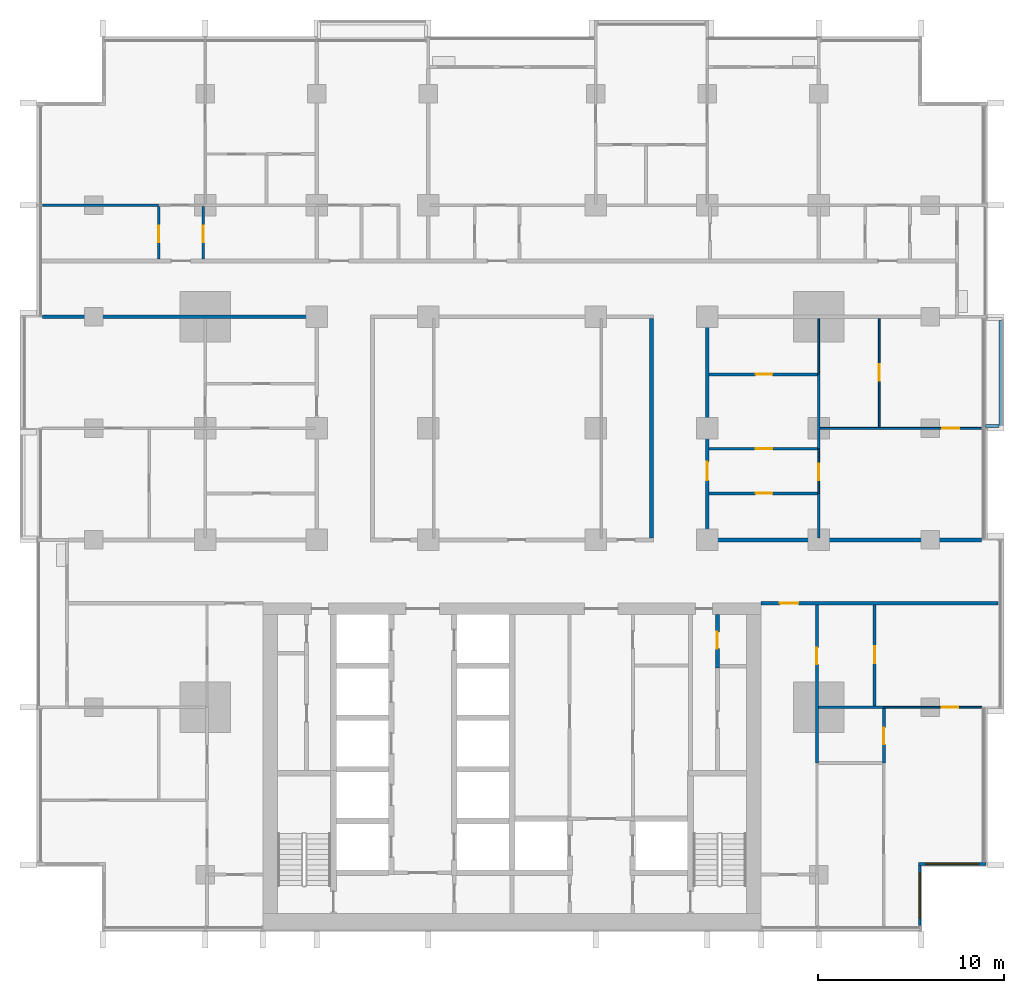
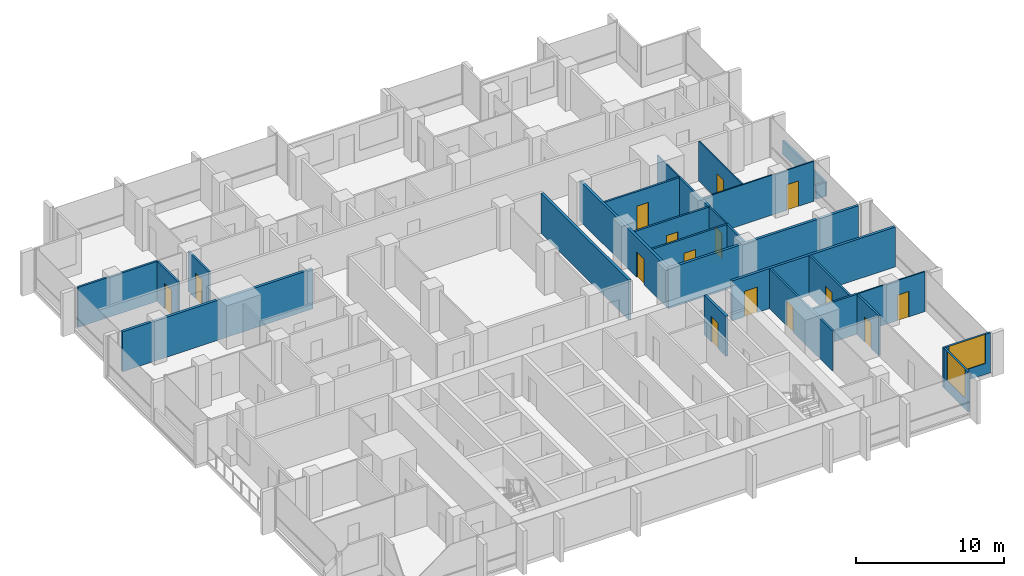
# One storey, part 10 of 19: 27 walls, 15 doors, 2 windows, 17 openings.
"""IFC4 building model written with IfcOpenShell, lengths in metres."""

import ifcopenshell
import ifcopenshell.guid

model = None  # the IFC model being written
_history = None  # IfcOwnerHistory: only IFC2X3 demands one
_inside = {}  # id of a spatial element -> (the spatial element, [elements in it])
_under = {}  # id of a project, library or spatial element -> (it, [spatial elements below it])
_declared = {}  # id of a project -> (the project, [libraries it declares])
_typed = {}  # id of a type object -> (the type object, [elements of that type])
_made_of = {}  # id of a material, layer set ... -> (it, [elements and type objects made of it])


def new_model(schema):
    """Start an empty IFC model of exactly this schema.

    Asked for "IFC4X3", IfcOpenShell would pick the latest addendum, in which some entities
    have other attributes; the version numbers below select the first issue.
    IFC2X3 requires an IfcOwnerHistory on every rooted entity: one is made here for all.
    """
    global model, _history
    if schema == "IFC4X3":
        model = ifcopenshell.file(schema_version=(4, 3, 0, 0))
    else:
        model = ifcopenshell.file(schema=schema)
    _inside.clear()
    _under.clear()
    _declared.clear()
    _typed.clear()
    _made_of.clear()
    _history = None
    if model.schema == "IFC2X3":
        org = make("IfcOrganization", Name="unknown")
        user = make(
            "IfcPersonAndOrganization",
            ThePerson=make("IfcPerson", FamilyName="unknown"),
            TheOrganization=org,
        )
        app = make(
            "IfcApplication",
            ApplicationDeveloper=org,
            Version="unknown",
            ApplicationFullName="unknown",
            ApplicationIdentifier="unknown",
        )
        _history = make(
            "IfcOwnerHistory",
            OwningUser=user,
            OwningApplication=app,
            ChangeAction="ADDED",
            CreationDate=0,
        )
    return model


def make(cls, **values):
    """One entity of the class cls with the attributes given. An attribute that is None is left unset."""
    return model.create_entity(
        cls, **{name: value for name, value in values.items() if value is not None}
    )


def rooted(cls, **values):
    """An entity with a GlobalId (a new one), such as an element, a storey or a relation."""
    return make(cls, GlobalId=ifcopenshell.guid.new(), OwnerHistory=_history, **values)


def si_unit(unit_type, name, prefix=None):
    """IfcSIUnit, for example si_unit("LENGTHUNIT", "METRE", prefix="MILLI")."""
    return make("IfcSIUnit", UnitType=unit_type, Prefix=prefix, Name=name)


def assignment(units):
    """IfcUnitAssignment: the units of a project."""
    return None if units is None else make("IfcUnitAssignment", Units=units)


def point(xyz):
    """IfcCartesianPoint."""
    return None if xyz is None else make("IfcCartesianPoint", Coordinates=xyz)


def direction(xyz):
    """IfcDirection."""
    return None if xyz is None else make("IfcDirection", DirectionRatios=xyz)


def frame(location, z_axis=None, x_axis=None):
    """IfcAxis2Placement3D, a coordinate frame: its origin and axes. An axis left out is left unset."""
    return make(
        "IfcAxis2Placement3D",
        Location=point(location),
        Axis=direction(z_axis),
        RefDirection=direction(x_axis),
    )


def frame_2d(location, x_axis=None):
    """IfcAxis2Placement2D, a coordinate frame in the plane: its origin and x axis."""
    return make(
        "IfcAxis2Placement2D", Location=point(location), RefDirection=direction(x_axis)
    )


def origin():
    """The frame at (0, 0, 0) with its axes left unset."""
    return frame((0.0, 0.0, 0.0))


def place(relative_to, where):
    """IfcLocalPlacement: puts the frame where relative to a parent placement (None: the world)."""
    return make(
        "IfcLocalPlacement", PlacementRelTo=relative_to, RelativePlacement=where
    )


def context(
    kind, dimensions, precision=None, world=None, true_north=None, identifier=None
):
    """IfcGeometricRepresentationContext, for example the 3D "Model" context."""
    return make(
        "IfcGeometricRepresentationContext",
        ContextIdentifier=identifier,
        ContextType=kind,
        CoordinateSpaceDimension=dimensions,
        Precision=precision,
        WorldCoordinateSystem=world,
        TrueNorth=true_north,
    )


def subcontext(parent, identifier, kind, view, scale=None):
    """IfcGeometricRepresentationSubContext, for example "Body" below "Model"."""
    return make(
        "IfcGeometricRepresentationSubContext",
        ContextIdentifier=identifier,
        ContextType=kind,
        ParentContext=parent,
        TargetScale=scale,
        TargetView=view,
    )


def project(units=None, contexts=None):
    """IfcProject with its units and contexts."""
    return rooted(
        "IfcProject",
        Name="project",
        RepresentationContexts=contexts,
        UnitsInContext=assignment(units),
    )


def spatial(cls, under=None, at=None, **own):
    """A site, building, storey or space (cls), placed at a placement, below another one or the project."""
    s = rooted(cls, ObjectPlacement=at, **own)
    if under is not None:
        _under.setdefault(under.id(), (under, []))[1].append(s)
    return s


def profile(cls, at=None, kind="AREA", **sizes):
    """A parametric profile (cls). Its sizes go by their IFC names, for example OverallWidth=200.0."""
    return make(cls, ProfileType=kind, Position=at, **sizes)


def rectangle(**sizes):
    """IfcRectangleProfileDef."""
    return profile("IfcRectangleProfileDef", **sizes)


def extrude(swept, where, along, depth):
    """IfcExtrudedAreaSolid: the profile swept, set in the frame where, extruded along a direction by depth."""
    return make(
        "IfcExtrudedAreaSolid",
        SweptArea=swept,
        Position=where,
        ExtrudedDirection=direction(along),
        Depth=depth,
    )


def shape(context_of_items, identifier, shape_type, items):
    """IfcShapeRepresentation: the items that make up one representation, for example the "Body"."""
    return make(
        "IfcShapeRepresentation",
        ContextOfItems=context_of_items,
        RepresentationIdentifier=identifier,
        RepresentationType=shape_type,
        Items=items,
    )


def material(Name=None, Category=None):
    """IfcMaterial."""
    return make("IfcMaterial", Name=Name, Category=Category)


def layer(
    of_material, thickness, ventilated=None, Name=None, Category=None, Priority=None
):
    """IfcMaterialLayer: one layer of a wall or slab, of a material (None: an air gap)."""
    return make(
        "IfcMaterialLayer",
        Material=of_material,
        LayerThickness=thickness,
        IsVentilated=ventilated,
        Name=Name,
        Category=Category,
        Priority=Priority,
    )


def layer_set(layers, Name=None):
    """IfcMaterialLayerSet."""
    return make("IfcMaterialLayerSet", MaterialLayers=layers, LayerSetName=Name)


def made_of(thing, what):
    """Note that an element or type object is made of a material, layer set ...; save() writes the relation."""
    if what is not None:
        _made_of.setdefault(what.id(), (what, []))[1].append(thing)
    return thing


def type_object(cls, material=None, **own):
    """A type object (cls), such as IfcWallType, which elements share."""
    return made_of(rooted(cls, **own), material)


def element(
    cls,
    number,
    at=None,
    inside=None,
    cuts=None,
    type_object=None,
    material=None,
    context=None,
    identifier="Body",
    shape_type=None,
    held_by="IfcProductDefinitionShape",
    body=None,
    shapes=None,
    **own,
):
    """One element of the class cls, such as IfcWall. Its Tag is "e" and its number.

    at: its placement. inside: the storey or other place that contains it. cuts: it is an
    opening in that element (IfcRelVoidsElement). A single representation is given by context,
    identifier, shape_type and body (its items); several are given by shapes. held_by: the class
    of the entity that holds the representations. save() writes the other relations.
    """
    e = rooted(cls, Tag="e%d" % number, ObjectPlacement=at, **own)
    if body is not None:
        shapes = [shape(context, identifier, shape_type, body)]
    if shapes is not None:
        e.Representation = make(held_by, Representations=shapes)
    if inside is not None:
        _inside.setdefault(inside.id(), (inside, []))[1].append(e)
    if cuts is not None:
        rooted(
            "IfcRelVoidsElement", RelatingBuildingElement=cuts, RelatedOpeningElement=e
        )
    if type_object is not None:
        _typed.setdefault(type_object.id(), (type_object, []))[1].append(e)
    return made_of(e, material)


def fill(opening, filler):
    """IfcRelFillsElement: the door or window that sits in an opening."""
    return rooted(
        "IfcRelFillsElement",
        RelatingOpeningElement=opening,
        RelatedBuildingElement=filler,
    )


def aggregate(whole, parts):
    """IfcRelAggregates: a whole, such as a stair, and the parts it consists of."""
    return rooted("IfcRelAggregates", RelatingObject=whole, RelatedObjects=parts)


def save(model, path):
    """Write the relations noted so far, then the file.

    IfcRelAggregates (storeys below a building ...), IfcRelContainedInSpatialStructure (elements
    in a storey), IfcRelDefinesByType, IfcRelAssociatesMaterial and IfcRelDeclares: one each for
    every whole, place, type object, material and project.
    """
    for whole, parts in _under.values():
        aggregate(whole, parts)
    for where, things in _inside.values():
        rooted(
            "IfcRelContainedInSpatialStructure",
            RelatedElements=things,
            RelatingStructure=where,
        )
    for kind, things in _typed.values():
        rooted("IfcRelDefinesByType", RelatedObjects=things, RelatingType=kind)
    for what, things in _made_of.values():
        rooted("IfcRelAssociatesMaterial", RelatedObjects=things, RelatingMaterial=what)
    for by, libraries in _declared.values():
        rooted("IfcRelDeclares", RelatingContext=by, RelatedDefinitions=libraries)
    model.write(path)


model = new_model("IFC4")

# Units and contexts
model_context = context("Model", 3, precision=1e-05, world=origin(), true_north=direction((0.0, 1.0)))
body_context = subcontext(model_context, "Body", "Model", "MODEL_VIEW")
ifc_project = project(units=[si_unit("LENGTHUNIT", "METRE"), si_unit("AREAUNIT", "SQUARE_METRE"), si_unit("VOLUMEUNIT", "CUBIC_METRE"), si_unit("PLANEANGLEUNIT", "RADIAN"), si_unit("MASSUNIT", "GRAM", prefix="KILO")], contexts=[model_context])

# Site, building, storey
site_placement = place(None, origin())
site = spatial("IfcSite", under=ifc_project, at=site_placement, CompositionType="ELEMENT")
building_placement = place(site_placement, origin())
building = spatial("IfcBuilding", under=site, at=building_placement, Name="Finial Court Residences", CompositionType="ELEMENT")
storey_placement = place(building_placement, frame((0.0, 0.0, 88.300048828125)))
storey = spatial("IfcBuildingStorey", under=building, at=storey_placement, Name="L21", CompositionType="ELEMENT", Elevation=88.300048828125)

# Wall, opening, door
ifc_material_1 = material(Name="Gypsum board")
ifc_layer_1 = layer(ifc_material_1, 0.02490234375)
ifc_material_2 = material(Name="Acoustic mineral wool in double frame")
ifc_layer_2 = layer(ifc_material_2, 0.14990234375)
ifc_layer_3 = layer(ifc_material_1, 0.02490234375)
ifc_layer_set_1 = layer_set([ifc_layer_1, ifc_layer_2, ifc_layer_3], Name="Corridor wall 200, 1 hour")
wall_type_1 = type_object("IfcWallType", Name="Corridor wall 200, 1 hour", PredefinedType="PARTITIONING", material=ifc_layer_set_1)
wall_1_placement = place(storey_placement, frame((13.39990234375, -7.89990234375, 0.0), z_axis=(0.0, 0.0, 1.0), x_axis=(1.0, 0.0, 0.0)))
wall_1 = element("IfcWall", 1, at=wall_1_placement, inside=storey, type_object=wall_type_1, Name="Partition L21-010", PredefinedType="PARTITIONING", context=body_context, shape_type="SweptSolid", body=[
    extrude(rectangle(XDim=12.75, YDim=0.199951171875, at=frame_2d((6.375, 0.0))), origin(), (0.0, 0.0, 1.0), 3.300048828125),
])
opening_1_placement = place(wall_1_placement, frame((1.0, 0.0, 0.0)))
opening_1 = element("IfcOpeningElement", 2, at=opening_1_placement, cuts=wall_1, Name="Opening L21-D006", PredefinedType="OPENING", context=body_context, shape_type="SweptSolid", body=[
    extrude(rectangle(XDim=1.0, YDim=2.10009765625, at=frame_2d((0.5, 1.050048828125))), frame((0.0, 0.10986328125, 0.0), z_axis=(0.0, -1.0, 0.0), x_axis=(1.0, 0.0, 0.0)), (0.0, 0.0, 1.0), 0.219970703125),
])
ifc_material_3 = material(Name="Timber door leaf in hollow metal frame", Category="wood")
door_type_1 = type_object("IfcDoorType", Name="Fire door set 1000 x 2100, 30 minutes", OperationType="SINGLE_SWING_LEFT", PredefinedType="DOOR", material=ifc_material_3)
door_1_placement = place(opening_1_placement, origin())
door_1 = element("IfcDoor", 3, at=door_1_placement, inside=storey, type_object=door_type_1, Name="Door L21-D006", OperationType="SINGLE_SWING_LEFT", OverallHeight=2.10009765625, OverallWidth=1.0, PredefinedType="DOOR", context=body_context, shape_type="SweptSolid", body=[
    extrude(rectangle(XDim=1.0, YDim=2.10009765625, at=frame_2d((0.5, 1.050048828125))), frame((0.0, 0.02490234375, 0.0), z_axis=(0.0, -1.0, 0.0), x_axis=(1.0, 0.0, 0.0)), (0.0, 0.0, 1.0), 0.050048828125),
])
fill(opening_1, door_1)

# Walls
for number, where, z_axis, x_axis, name in (
    (4, (10.39990234375, -4.5, 0.0), (0.0, 0.0, 1.0), (1.0, 0.0, 0.0), "Partition L21-013"),
    (5, (-25.25, 7.5, 0.0), (0.0, 0.0, 1.0), (1.0, 0.0, 0.0), "Partition L21-022"),
):
    element("IfcWall", number, at=place(storey_placement, frame(where, z_axis=z_axis, x_axis=x_axis)), inside=storey, type_object=wall_type_1, Name=name, PredefinedType="PARTITIONING", context=body_context, shape_type="SweptSolid", body=[
        extrude(rectangle(XDim=14.85009765625, YDim=0.199951171875, at=frame_2d((7.425048828125, 0.0))), origin(), (0.0, 0.0, 1.0), 3.300048828125),
    ])
wall_2_placement = place(storey_placement, frame((7.5, -4.39990234375, 0.0), z_axis=(0.0, 0.0, 1.0), x_axis=(0.0, 1.0, 0.0)))
element("IfcWall", 6, at=wall_2_placement, inside=storey, type_object=wall_type_1, Name="Partition L21-068", PredefinedType="PARTITIONING", context=body_context, shape_type="SweptSolid", body=[
    extrude(rectangle(XDim=11.7998046875, YDim=0.199951171875, at=frame_2d((5.89990234375, 0.0))), origin(), (0.0, 0.0, 1.0), 3.300048828125),
])

# Wall, opening, door
wall_3_placement = place(storey_placement, frame((10.5, -4.39990234375, 0.0), z_axis=(0.0, 0.0, 1.0), x_axis=(0.0, 1.0, 0.0)))
wall_3 = element("IfcWall", 7, at=wall_3_placement, inside=storey, type_object=wall_type_1, Name="Partition L21-069", PredefinedType="PARTITIONING", context=body_context, shape_type="SweptSolid", body=[
    extrude(rectangle(XDim=11.7998046875, YDim=0.199951171875, at=frame_2d((5.89990234375, 0.0))), origin(), (0.0, 0.0, 1.0), 3.300048828125),
])
opening_2_placement = place(wall_3_placement, frame((3.10009765625, 0.0, 0.0)))
opening_2 = element("IfcOpeningElement", 8, at=opening_2_placement, cuts=wall_3, Name="Opening L21-D043", PredefinedType="OPENING", context=body_context, shape_type="SweptSolid", body=[
    extrude(rectangle(XDim=1.0, YDim=2.10009765625, at=frame_2d((0.5, 1.050048828125))), frame((0.0, 0.10986328125, 0.0), z_axis=(0.0, -1.0, 0.0), x_axis=(1.0, 0.0, 0.0)), (0.0, 0.0, 1.0), 0.219970703125),
])
door_2_placement = place(opening_2_placement, origin())
door_2 = element("IfcDoor", 9, at=door_2_placement, inside=storey, type_object=door_type_1, Name="Door L21-D043", OperationType="SINGLE_SWING_LEFT", OverallHeight=2.10009765625, OverallWidth=1.0, PredefinedType="DOOR", context=body_context, shape_type="SweptSolid", body=[
    extrude(rectangle(XDim=1.0, YDim=2.10009765625, at=frame_2d((0.5, 1.050048828125))), frame((0.0, 0.02490234375, 0.0), z_axis=(0.0, -1.0, 0.0), x_axis=(1.0, 0.0, 0.0)), (0.0, 0.0, 1.0), 0.050048828125),
])
fill(opening_2, door_2)

ifc_layer_4 = layer(ifc_material_1, 0.012451171875)
ifc_material_4 = material(Name="Mineral wool in light-gauge frame")
ifc_layer_5 = layer(ifc_material_4, 0.074951171875)
ifc_layer_6 = layer(ifc_material_1, 0.012451171875)
ifc_layer_set_2 = layer_set([ifc_layer_4, ifc_layer_5, ifc_layer_6], Name="Gypsum board partition 100")
wall_type_2 = type_object("IfcWallType", Name="Gypsum board partition 100", PredefinedType="PARTITIONING", material=ifc_layer_set_2)
wall_4_placement = place(storey_placement, frame((20.0, -13.5, 0.0), z_axis=(0.0, 0.0, 1.0), x_axis=(1.0, 0.0, 0.0)))
wall_4 = element("IfcWall", 10, at=wall_4_placement, inside=storey, type_object=wall_type_2, Name="Partition L21-006", PredefinedType="PARTITIONING", context=body_context, shape_type="SweptSolid", body=[
    extrude(rectangle(XDim=5.25, YDim=0.10009765625, at=frame_2d((2.625, 0.0))), origin(), (0.0, 0.0, 1.0), 3.300048828125),
])
opening_3_placement = place(wall_4_placement, frame((3.10009765625, 0.0, 0.0)))
opening_3 = element("IfcOpeningElement", 11, at=opening_3_placement, cuts=wall_4, Name="Opening L21-D004", PredefinedType="OPENING", context=body_context, shape_type="SweptSolid", body=[
    extrude(rectangle(XDim=0.89990234375, YDim=2.10009765625, at=frame_2d((0.449951171875, 1.050048828125))), frame((0.0, 0.06005859375, 0.0), z_axis=(0.0, -1.0, 0.0), x_axis=(1.0, 0.0, 0.0)), (0.0, 0.0, 1.0), 0.1201171875),
])
ifc_material_5 = material(Name="Timber door leaf in timber frame", Category="wood")
door_type_2 = type_object("IfcDoorType", Name="Door set 900 x 2100", OperationType="SINGLE_SWING_LEFT", PredefinedType="DOOR", material=ifc_material_5)
door_3_placement = place(opening_3_placement, origin())
door_3 = element("IfcDoor", 12, at=door_3_placement, inside=storey, type_object=door_type_2, Name="Door L21-D004", OperationType="SINGLE_SWING_RIGHT", OverallHeight=2.10009765625, OverallWidth=0.89990234375, PredefinedType="DOOR", context=body_context, shape_type="SweptSolid", body=[
    extrude(rectangle(XDim=0.89990234375, YDim=2.10009765625, at=frame_2d((0.449951171875, 1.050048828125))), frame((0.0, 0.02490234375, 0.0), z_axis=(0.0, -1.0, 0.0), x_axis=(1.0, 0.0, 0.0)), (0.0, 0.0, 1.0), 0.050048828125),
])
fill(opening_3, door_3)

wall_5_placement = place(storey_placement, frame((16.574951171875, 1.5, 0.0), z_axis=(0.0, 0.0, 1.0), x_axis=(1.0, 0.0, 0.0)))
wall_5 = element("IfcWall", 13, at=wall_5_placement, inside=storey, type_object=wall_type_2, Name="Partition L21-018", PredefinedType="PARTITIONING", context=body_context, shape_type="SweptSolid", body=[
    extrude(rectangle(XDim=8.675048828125, YDim=0.10009765625, at=frame_2d((4.33740234375, 0.0))), origin(), (0.0, 0.0, 1.0), 3.300048828125),
])
opening_4_placement = place(wall_5_placement, frame((6.574951171875, 0.0, 0.0)))
opening_4 = element("IfcOpeningElement", 14, at=opening_4_placement, cuts=wall_5, Name="Opening L21-D014", PredefinedType="OPENING", context=body_context, shape_type="SweptSolid", body=[
    extrude(rectangle(XDim=0.89990234375, YDim=2.10009765625, at=frame_2d((0.449951171875, 1.050048828125))), frame((0.0, 0.06005859375, 0.0), z_axis=(0.0, -1.0, 0.0), x_axis=(1.0, 0.0, 0.0)), (0.0, 0.0, 1.0), 0.1201171875),
])
door_4_placement = place(opening_4_placement, origin())
door_4 = element("IfcDoor", 15, at=door_4_placement, inside=storey, type_object=door_type_2, Name="Door L21-D014", OperationType="SINGLE_SWING_LEFT", OverallHeight=2.10009765625, OverallWidth=0.89990234375, PredefinedType="DOOR", context=body_context, shape_type="SweptSolid", body=[
    extrude(rectangle(XDim=0.89990234375, YDim=2.10009765625, at=frame_2d((0.449951171875, 1.050048828125))), frame((0.0, 0.02490234375, 0.0), z_axis=(0.0, -1.0, 0.0), x_axis=(1.0, 0.0, 0.0)), (0.0, 0.0, 1.0), 0.050048828125),
])
fill(opening_4, door_4)

wall_6_placement = place(storey_placement, frame((16.5, -2.0, 0.0), z_axis=(0.0, 0.0, 1.0), x_axis=(0.0, 1.0, 0.0)))
wall_6 = element("IfcWall", 16, at=wall_6_placement, inside=storey, type_object=wall_type_2, Name="Partition L21-075", PredefinedType="PARTITIONING", context=body_context, shape_type="SweptSolid", body=[
    extrude(rectangle(XDim=2.39990234375, YDim=0.10009765625, at=frame_2d((1.199951171875, 0.0))), origin(), (0.0, 0.0, 1.0), 3.300048828125),
])
opening_5_placement = place(wall_6_placement, frame((0.699951171875, 0.0, 0.0)))
opening_5 = element("IfcOpeningElement", 17, at=opening_5_placement, cuts=wall_6, Name="Opening L21-D047", PredefinedType="OPENING", context=body_context, shape_type="SweptSolid", body=[
    extrude(rectangle(XDim=0.89990234375, YDim=2.10009765625, at=frame_2d((0.449951171875, 1.050048828125))), frame((0.0, 0.06005859375, 0.0), z_axis=(0.0, -1.0, 0.0), x_axis=(1.0, 0.0, 0.0)), (0.0, 0.0, 1.0), 0.1201171875),
])
door_5_placement = place(opening_5_placement, origin())
door_5 = element("IfcDoor", 18, at=door_5_placement, inside=storey, type_object=door_type_2, Name="Door L21-D047", OperationType="SINGLE_SWING_RIGHT", OverallHeight=2.10009765625, OverallWidth=0.89990234375, PredefinedType="DOOR", context=body_context, shape_type="SweptSolid", body=[
    extrude(rectangle(XDim=0.89990234375, YDim=2.10009765625, at=frame_2d((0.449951171875, 1.050048828125))), frame((0.0, 0.02490234375, 0.0), z_axis=(0.0, -1.0, 0.0), x_axis=(1.0, 0.0, 0.0)), (0.0, 0.0, 1.0), 0.050048828125),
])
fill(opening_5, door_5)

# Wall
wall_7_placement = place(storey_placement, frame((16.5, 4.39990234375, 0.0), z_axis=(0.0, 0.0, 1.0), x_axis=(0.0, 1.0, 0.0)))
element("IfcWall", 19, at=wall_7_placement, inside=storey, type_object=wall_type_2, Name="Partition L21-076", PredefinedType="PARTITIONING", context=body_context, shape_type="SweptSolid", body=[
    extrude(rectangle(XDim=3.0, YDim=0.10009765625, at=frame_2d((1.5, 0.0))), origin(), (0.0, 0.0, 1.0), 3.300048828125),
])

# Wall, opening, door
wall_8_placement = place(storey_placement, frame((19.75, 1.550048828125, 0.0), z_axis=(0.0, 0.0, 1.0), x_axis=(0.0, 1.0, 0.0)))
wall_8 = element("IfcWall", 20, at=wall_8_placement, inside=storey, type_object=wall_type_2, Name="Partition L21-083", PredefinedType="PARTITIONING", context=body_context, shape_type="SweptSolid", body=[
    extrude(rectangle(XDim=5.849853515625, YDim=0.10009765625, at=frame_2d((2.9248046875, 0.0))), origin(), (0.0, 0.0, 1.0), 3.300048828125),
])
opening_6_placement = place(wall_8_placement, frame((2.5, 0.0, 0.0)))
opening_6 = element("IfcOpeningElement", 21, at=opening_6_placement, cuts=wall_8, Name="Opening L21-D050", PredefinedType="OPENING", context=body_context, shape_type="SweptSolid", body=[
    extrude(rectangle(XDim=0.89990234375, YDim=2.10009765625, at=frame_2d((0.449951171875, 1.050048828125))), frame((0.0, 0.06005859375, 0.0), z_axis=(0.0, -1.0, 0.0), x_axis=(1.0, 0.0, 0.0)), (0.0, 0.0, 1.0), 0.1201171875),
])
door_6_placement = place(opening_6_placement, origin())
door_6 = element("IfcDoor", 22, at=door_6_placement, inside=storey, type_object=door_type_2, Name="Door L21-D050", OperationType="SINGLE_SWING_RIGHT", OverallHeight=2.10009765625, OverallWidth=0.89990234375, PredefinedType="DOOR", context=body_context, shape_type="SweptSolid", body=[
    extrude(rectangle(XDim=0.89990234375, YDim=2.10009765625, at=frame_2d((0.449951171875, 1.050048828125))), frame((0.0, 0.02490234375, 0.0), z_axis=(0.0, -1.0, 0.0), x_axis=(1.0, 0.0, 0.0)), (0.0, 0.0, 1.0), 0.050048828125),
])
fill(opening_6, door_6)

# Wall
ifc_material_6 = material(Name="Moisture-resistant gypsum board")
ifc_layer_7 = layer(ifc_material_6, 0.012451171875)
ifc_layer_8 = layer(ifc_material_4, 0.125)
ifc_layer_9 = layer(ifc_material_6, 0.012451171875)
ifc_layer_set_3 = layer_set([ifc_layer_7, ifc_layer_8, ifc_layer_9], Name="Gypsum board wet-area partition 150")
wall_type_3 = type_object("IfcWallType", Name="Gypsum board wet-area partition 150", PredefinedType="PARTITIONING", material=ifc_layer_set_3)
wall_9_placement = place(storey_placement, frame((16.47509765625, -13.5, 0.0), z_axis=(0.0, 0.0, 1.0), x_axis=(1.0, 0.0, 0.0)))
element("IfcWall", 23, at=wall_9_placement, inside=storey, type_object=wall_type_3, Name="Partition L21-008", PredefinedType="PARTITIONING", context=body_context, shape_type="SweptSolid", body=[
    extrude(rectangle(XDim=3.52490234375, YDim=0.14990234375, at=frame_2d((1.762451171875, 0.0))), origin(), (0.0, 0.0, 1.0), 3.300048828125),
])

# Wall, opening, door
wall_10_placement = place(storey_placement, frame((10.60009765625, -2.0, 0.0), z_axis=(0.0, 0.0, 1.0), x_axis=(1.0, 0.0, 0.0)))
wall_10 = element("IfcWall", 24, at=wall_10_placement, inside=storey, type_object=wall_type_3, Name="Partition L21-015", PredefinedType="PARTITIONING", context=body_context, shape_type="SweptSolid", body=[
    extrude(rectangle(XDim=5.824951171875, YDim=0.14990234375, at=frame_2d((2.91259765625, 0.0))), origin(), (0.0, 0.0, 1.0), 3.300048828125),
])
opening_7_placement = place(wall_10_placement, frame((2.5, 0.0, 0.0)))
opening_7 = element("IfcOpeningElement", 25, at=opening_7_placement, cuts=wall_10, Name="Opening L21-D011", PredefinedType="OPENING", context=body_context, shape_type="SweptSolid", body=[
    extrude(rectangle(XDim=0.89990234375, YDim=2.10009765625, at=frame_2d((0.449951171875, 1.050048828125))), frame((0.0, 0.0849609375, 0.0), z_axis=(0.0, -1.0, 0.0), x_axis=(1.0, 0.0, 0.0)), (0.0, 0.0, 1.0), 0.169921875),
])
door_7_placement = place(opening_7_placement, origin())
door_7 = element("IfcDoor", 26, at=door_7_placement, inside=storey, type_object=door_type_2, Name="Door L21-D011", OperationType="SINGLE_SWING_LEFT", OverallHeight=2.10009765625, OverallWidth=0.89990234375, PredefinedType="DOOR", context=body_context, shape_type="SweptSolid", body=[
    extrude(rectangle(XDim=0.89990234375, YDim=2.10009765625, at=frame_2d((0.449951171875, 1.050048828125))), frame((0.0, 0.02490234375, 0.0), z_axis=(0.0, -1.0, 0.0), x_axis=(1.0, 0.0, 0.0)), (0.0, 0.0, 1.0), 0.050048828125),
])
fill(opening_7, door_7)

wall_11_placement = place(storey_placement, frame((10.60009765625, 0.39990234375, 0.0), z_axis=(0.0, 0.0, 1.0), x_axis=(1.0, 0.0, 0.0)))
wall_11 = element("IfcWall", 27, at=wall_11_placement, inside=storey, type_object=wall_type_3, Name="Partition L21-016", PredefinedType="PARTITIONING", context=body_context, shape_type="SweptSolid", body=[
    extrude(rectangle(XDim=5.824951171875, YDim=0.14990234375, at=frame_2d((2.91259765625, 0.0))), origin(), (0.0, 0.0, 1.0), 3.300048828125),
])
opening_8_placement = place(wall_11_placement, frame((2.5, 0.0, 0.0)))
opening_8 = element("IfcOpeningElement", 28, at=opening_8_placement, cuts=wall_11, Name="Opening L21-D012", PredefinedType="OPENING", context=body_context, shape_type="SweptSolid", body=[
    extrude(rectangle(XDim=0.89990234375, YDim=2.10009765625, at=frame_2d((0.449951171875, 1.050048828125))), frame((0.0, 0.0849609375, 0.0), z_axis=(0.0, -1.0, 0.0), x_axis=(1.0, 0.0, 0.0)), (0.0, 0.0, 1.0), 0.169921875),
])
door_8_placement = place(opening_8_placement, origin())
door_8 = element("IfcDoor", 29, at=door_8_placement, inside=storey, type_object=door_type_2, Name="Door L21-D012", OperationType="SINGLE_SWING_RIGHT", OverallHeight=2.10009765625, OverallWidth=0.89990234375, PredefinedType="DOOR", context=body_context, shape_type="SweptSolid", body=[
    extrude(rectangle(XDim=0.89990234375, YDim=2.10009765625, at=frame_2d((0.449951171875, 1.050048828125))), frame((0.0, 0.02490234375, 0.0), z_axis=(0.0, -1.0, 0.0), x_axis=(1.0, 0.0, 0.0)), (0.0, 0.0, 1.0), 0.050048828125),
])
fill(opening_8, door_8)

wall_12_placement = place(storey_placement, frame((10.60009765625, 4.39990234375, 0.0), z_axis=(0.0, 0.0, 1.0), x_axis=(1.0, 0.0, 0.0)))
wall_12 = element("IfcWall", 30, at=wall_12_placement, inside=storey, type_object=wall_type_3, Name="Partition L21-021", PredefinedType="PARTITIONING", context=body_context, shape_type="SweptSolid", body=[
    extrude(rectangle(XDim=5.824951171875, YDim=0.14990234375, at=frame_2d((2.91259765625, 0.0))), origin(), (0.0, 0.0, 1.0), 3.300048828125),
])
opening_9_placement = place(wall_12_placement, frame((2.5, 0.0, 0.0)))
opening_9 = element("IfcOpeningElement", 31, at=opening_9_placement, cuts=wall_12, Name="Opening L21-D017", PredefinedType="OPENING", context=body_context, shape_type="SweptSolid", body=[
    extrude(rectangle(XDim=0.89990234375, YDim=2.10009765625, at=frame_2d((0.449951171875, 1.050048828125))), frame((0.0, 0.0849609375, 0.0), z_axis=(0.0, -1.0, 0.0), x_axis=(1.0, 0.0, 0.0)), (0.0, 0.0, 1.0), 0.169921875),
])
door_9_placement = place(opening_9_placement, origin())
door_9 = element("IfcDoor", 32, at=door_9_placement, inside=storey, type_object=door_type_2, Name="Door L21-D017", OperationType="SINGLE_SWING_RIGHT", OverallHeight=2.10009765625, OverallWidth=0.89990234375, PredefinedType="DOOR", context=body_context, shape_type="SweptSolid", body=[
    extrude(rectangle(XDim=0.89990234375, YDim=2.10009765625, at=frame_2d((0.449951171875, 1.050048828125))), frame((0.0, 0.02490234375, 0.0), z_axis=(0.0, -1.0, 0.0), x_axis=(1.0, 0.0, 0.0)), (0.0, 0.0, 1.0), 0.050048828125),
])
fill(opening_9, door_9)

# Wall
wall_13_placement = place(storey_placement, frame((-25.25, 13.5, 0.0), z_axis=(0.0, 0.0, 1.0), x_axis=(1.0, 0.0, 0.0)))
element("IfcWall", 33, at=wall_13_placement, inside=storey, type_object=wall_type_3, Name="Partition L21-030", PredefinedType="PARTITIONING", context=body_context, shape_type="SweptSolid", body=[
    extrude(rectangle(XDim=6.25, YDim=0.14990234375, at=frame_2d((3.125, 0.0))), origin(), (0.0, 0.0, 1.0), 3.300048828125),
])

# Wall, opening, door
wall_14_placement = place(storey_placement, frame((-19.0, 10.60009765625, 0.0), z_axis=(0.0, 0.0, 1.0), x_axis=(0.0, 1.0, 0.0)))
wall_14 = element("IfcWall", 34, at=wall_14_placement, inside=storey, type_object=wall_type_3, Name="Partition L21-043", PredefinedType="PARTITIONING", context=body_context, shape_type="SweptSolid", body=[
    extrude(rectangle(XDim=2.824951171875, YDim=0.14990234375, at=frame_2d((1.41259765625, 0.0))), origin(), (0.0, 0.0, 1.0), 3.300048828125),
])
opening_10_placement = place(wall_14_placement, frame((0.89990234375, 0.0, 0.0)))
opening_10 = element("IfcOpeningElement", 35, at=opening_10_placement, cuts=wall_14, Name="Opening L21-D032", PredefinedType="OPENING", context=body_context, shape_type="SweptSolid", body=[
    extrude(rectangle(XDim=0.89990234375, YDim=2.10009765625, at=frame_2d((0.449951171875, 1.050048828125))), frame((0.0, 0.0849609375, 0.0), z_axis=(0.0, -1.0, 0.0), x_axis=(1.0, 0.0, 0.0)), (0.0, 0.0, 1.0), 0.169921875),
])
door_10_placement = place(opening_10_placement, origin())
door_10 = element("IfcDoor", 36, at=door_10_placement, inside=storey, type_object=door_type_2, Name="Door L21-D032", OperationType="SINGLE_SWING_LEFT", OverallHeight=2.10009765625, OverallWidth=0.89990234375, PredefinedType="DOOR", context=body_context, shape_type="SweptSolid", body=[
    extrude(rectangle(XDim=0.89990234375, YDim=2.10009765625, at=frame_2d((0.449951171875, 1.050048828125))), frame((0.0, 0.02490234375, 0.0), z_axis=(0.0, -1.0, 0.0), x_axis=(1.0, 0.0, 0.0)), (0.0, 0.0, 1.0), 0.050048828125),
])
fill(opening_10, door_10)

wall_15_placement = place(storey_placement, frame((-16.60009765625, 10.60009765625, 0.0), z_axis=(0.0, 0.0, 1.0), x_axis=(0.0, 1.0, 0.0)))
wall_15 = element("IfcWall", 37, at=wall_15_placement, inside=storey, type_object=wall_type_3, Name="Partition L21-044", PredefinedType="PARTITIONING", context=body_context, shape_type="SweptSolid", body=[
    extrude(rectangle(XDim=2.824951171875, YDim=0.14990234375, at=frame_2d((1.41259765625, 0.0))), origin(), (0.0, 0.0, 1.0), 3.300048828125),
])
opening_11_placement = place(wall_15_placement, frame((0.89990234375, 0.0, 0.0)))
opening_11 = element("IfcOpeningElement", 38, at=opening_11_placement, cuts=wall_15, Name="Opening L21-D033", PredefinedType="OPENING", context=body_context, shape_type="SweptSolid", body=[
    extrude(rectangle(XDim=0.89990234375, YDim=2.10009765625, at=frame_2d((0.449951171875, 1.050048828125))), frame((0.0, 0.0849609375, 0.0), z_axis=(0.0, -1.0, 0.0), x_axis=(1.0, 0.0, 0.0)), (0.0, 0.0, 1.0), 0.169921875),
])
door_11_placement = place(opening_11_placement, origin())
door_11 = element("IfcDoor", 39, at=door_11_placement, inside=storey, type_object=door_type_2, Name="Door L21-D033", OperationType="SINGLE_SWING_RIGHT", OverallHeight=2.10009765625, OverallWidth=0.89990234375, PredefinedType="DOOR", context=body_context, shape_type="SweptSolid", body=[
    extrude(rectangle(XDim=0.89990234375, YDim=2.10009765625, at=frame_2d((0.449951171875, 1.050048828125))), frame((0.0, 0.02490234375, 0.0), z_axis=(0.0, -1.0, 0.0), x_axis=(1.0, 0.0, 0.0)), (0.0, 0.0, 1.0), 0.050048828125),
])
fill(opening_11, door_11)

wall_16_placement = place(storey_placement, frame((16.39990234375, -16.5, 0.0), z_axis=(0.0, 0.0, 1.0), x_axis=(0.0, 1.0, 0.0)))
wall_16 = element("IfcWall", 40, at=wall_16_placement, inside=storey, type_object=wall_type_3, Name="Partition L21-074", PredefinedType="PARTITIONING", context=body_context, shape_type="SweptSolid", body=[
    extrude(rectangle(XDim=8.5, YDim=0.14990234375, at=frame_2d((4.25, 0.0))), origin(), (0.0, 0.0, 1.0), 3.300048828125),
])
opening_12_placement = place(wall_16_placement, frame((5.300048828125, 0.0, 0.0)))
opening_12 = element("IfcOpeningElement", 41, at=opening_12_placement, cuts=wall_16, Name="Opening L21-D046", PredefinedType="OPENING", context=body_context, shape_type="SweptSolid", body=[
    extrude(rectangle(XDim=0.89990234375, YDim=2.10009765625, at=frame_2d((0.449951171875, 1.050048828125))), frame((0.0, 0.0849609375, 0.0), z_axis=(0.0, -1.0, 0.0), x_axis=(1.0, 0.0, 0.0)), (0.0, 0.0, 1.0), 0.169921875),
])
door_12_placement = place(opening_12_placement, origin())
door_12 = element("IfcDoor", 42, at=door_12_placement, inside=storey, type_object=door_type_2, Name="Door L21-D046", OperationType="SINGLE_SWING_RIGHT", OverallHeight=2.10009765625, OverallWidth=0.89990234375, PredefinedType="DOOR", context=body_context, shape_type="SweptSolid", body=[
    extrude(rectangle(XDim=0.89990234375, YDim=2.10009765625, at=frame_2d((0.449951171875, 1.050048828125))), frame((0.0, 0.02490234375, 0.0), z_axis=(0.0, -1.0, 0.0), x_axis=(1.0, 0.0, 0.0)), (0.0, 0.0, 1.0), 0.050048828125),
])
fill(opening_12, door_12)

# Walls
wall_17_placement = place(storey_placement, frame((16.5, -4.39990234375, 0.0), z_axis=(0.0, 0.0, 1.0), x_axis=(0.0, 1.0, 0.0)))
element("IfcWall", 43, at=wall_17_placement, inside=storey, type_object=wall_type_3, Name="Partition L21-079", PredefinedType="PARTITIONING", context=body_context, shape_type="SweptSolid", body=[
    extrude(rectangle(XDim=2.39990234375, YDim=0.14990234375, at=frame_2d((1.199951171875, 0.0))), origin(), (0.0, 0.0, 1.0), 3.300048828125),
])
wall_18_placement = place(storey_placement, frame((16.5, 0.39990234375, 0.0), z_axis=(0.0, 0.0, 1.0), x_axis=(0.0, 1.0, 0.0)))
element("IfcWall", 44, at=wall_18_placement, inside=storey, type_object=wall_type_3, Name="Partition L21-080", PredefinedType="PARTITIONING", context=body_context, shape_type="SweptSolid", body=[
    extrude(rectangle(XDim=4.0, YDim=0.14990234375, at=frame_2d((2.0, 0.0))), origin(), (0.0, 0.0, 1.0), 3.300048828125),
])

# Wall, opening, door
wall_19_placement = place(storey_placement, frame((19.5, -13.425048828125, 0.0), z_axis=(0.0, 0.0, 1.0), x_axis=(0.0, 1.0, 0.0)))
wall_19 = element("IfcWall", 45, at=wall_19_placement, inside=storey, type_object=wall_type_3, Name="Partition L21-082", PredefinedType="PARTITIONING", context=body_context, shape_type="SweptSolid", body=[
    extrude(rectangle(XDim=5.425048828125, YDim=0.14990234375, at=frame_2d((2.71240234375, 0.0))), origin(), (0.0, 0.0, 1.0), 3.300048828125),
])
opening_13_placement = place(wall_19_placement, frame((2.300048828125, 0.0, 0.0)))
opening_13 = element("IfcOpeningElement", 46, at=opening_13_placement, cuts=wall_19, Name="Opening L21-D049", PredefinedType="OPENING", context=body_context, shape_type="SweptSolid", body=[
    extrude(rectangle(XDim=0.89990234375, YDim=2.10009765625, at=frame_2d((0.449951171875, 1.050048828125))), frame((0.0, 0.0849609375, 0.0), z_axis=(0.0, -1.0, 0.0), x_axis=(1.0, 0.0, 0.0)), (0.0, 0.0, 1.0), 0.169921875),
])
door_13_placement = place(opening_13_placement, origin())
door_13 = element("IfcDoor", 47, at=door_13_placement, inside=storey, type_object=door_type_2, Name="Door L21-D049", OperationType="SINGLE_SWING_LEFT", OverallHeight=2.10009765625, OverallWidth=0.89990234375, PredefinedType="DOOR", context=body_context, shape_type="SweptSolid", body=[
    extrude(rectangle(XDim=0.89990234375, YDim=2.10009765625, at=frame_2d((0.449951171875, 1.050048828125))), frame((0.0, 0.02490234375, 0.0), z_axis=(0.0, -1.0, 0.0), x_axis=(1.0, 0.0, 0.0)), (0.0, 0.0, 1.0), 0.050048828125),
])
fill(opening_13, door_13)

wall_20_placement = place(storey_placement, frame((20.0, -16.5, 0.0), z_axis=(0.0, 0.0, 1.0), x_axis=(0.0, 1.0, 0.0)))
wall_20 = element("IfcWall", 48, at=wall_20_placement, inside=storey, type_object=wall_type_3, Name="Partition L21-085", PredefinedType="PARTITIONING", context=body_context, shape_type="SweptSolid", body=[
    extrude(rectangle(XDim=2.925048828125, YDim=0.14990234375, at=frame_2d((1.46240234375, 0.0))), origin(), (0.0, 0.0, 1.0), 3.300048828125),
])
opening_14_placement = place(wall_20_placement, frame((1.0, 0.0, 0.0)))
opening_14 = element("IfcOpeningElement", 49, at=opening_14_placement, cuts=wall_20, Name="Opening L21-D052", PredefinedType="OPENING", context=body_context, shape_type="SweptSolid", body=[
    extrude(rectangle(XDim=0.89990234375, YDim=2.10009765625, at=frame_2d((0.449951171875, 1.050048828125))), frame((0.0, 0.0849609375, 0.0), z_axis=(0.0, -1.0, 0.0), x_axis=(1.0, 0.0, 0.0)), (0.0, 0.0, 1.0), 0.169921875),
])
door_14_placement = place(opening_14_placement, origin())
door_14 = element("IfcDoor", 50, at=door_14_placement, inside=storey, type_object=door_type_2, Name="Door L21-D052", OperationType="SINGLE_SWING_RIGHT", OverallHeight=2.10009765625, OverallWidth=0.89990234375, PredefinedType="DOOR", context=body_context, shape_type="SweptSolid", body=[
    extrude(rectangle(XDim=0.89990234375, YDim=2.10009765625, at=frame_2d((0.449951171875, 1.050048828125))), frame((0.0, 0.02490234375, 0.0), z_axis=(0.0, -1.0, 0.0), x_axis=(1.0, 0.0, 0.0)), (0.0, 0.0, 1.0), 0.050048828125),
])
fill(opening_14, door_14)

# Walls
ifc_material_7 = material(Name="Concrete C35/45", Category="concrete")
ifc_layer_10 = layer(ifc_material_7, 0.14990234375)
ifc_layer_set_4 = layer_set([ifc_layer_10], Name="Ledge parapet, Concrete C35/45 150")
wall_type_4 = type_object("IfcWallType", Name="Ledge parapet, Concrete C35/45 150", PredefinedType="PARAPET", material=ifc_layer_set_4)
wall_21_placement = place(storey_placement, frame((26.27490234375, 7.300048828125, 0.0), z_axis=(0.0, 0.0, 1.0), x_axis=(0.0, -1.0, 0.0)))
element("IfcWall", 51, at=wall_21_placement, inside=storey, type_object=wall_type_4, Name="E-L21-LED2-P2", PredefinedType="PARAPET", context=body_context, shape_type="SweptSolid", body=[
    extrude(rectangle(XDim=5.75, YDim=0.14990234375, at=frame_2d((2.875, 0.0))), origin(), (0.0, 0.0, 1.0), 1.14990234375),
])
wall_22_placement = place(storey_placement, frame((26.199951171875, 1.625, 0.0), z_axis=(0.0, 0.0, 1.0), x_axis=(-1.0, 0.0, 0.0)))
element("IfcWall", 52, at=wall_22_placement, inside=storey, type_object=wall_type_4, Name="E-L21-LED2-P3", PredefinedType="PARAPET", context=body_context, shape_type="SweptSolid", body=[
    extrude(rectangle(XDim=0.739990234375, YDim=0.14990234375, at=frame_2d((0.3701171875, 0.0))), origin(), (0.0, 0.0, 1.0), 1.14990234375),
])

# Wall, opening, window
ifc_material_8 = material(Name="Natural limestone", Category="masonry")
ifc_layer_11 = layer(ifc_material_8, 0.14990234375)
ifc_layer_set_5 = layer_set([ifc_layer_11], Name="Limestone clad wall 150")
wall_type_5 = type_object("IfcWallType", Name="Limestone clad wall 150", PredefinedType="SOLIDWALL", material=ifc_layer_set_5)
wall_23_placement = place(storey_placement, frame((21.925048828125, -22.0, 0.0), z_axis=(0.0, 0.0, 1.0), x_axis=(0.0, -1.0, 0.0)))
wall_23 = element("IfcWall", 53, at=wall_23_placement, inside=storey, type_object=wall_type_5, Name="E-L21-NWE16", PredefinedType="SOLIDWALL", context=body_context, shape_type="SweptSolid", body=[
    extrude(rectangle(XDim=3.25, YDim=0.14990234375, at=frame_2d((1.625, 0.0))), origin(), (0.0, 0.0, 1.0), 3.300048828125),
])
opening_15_placement = place(wall_23_placement, frame((0.39990234375, 0.0, 0.89990234375)))
opening_15 = element("IfcOpeningElement", 54, at=opening_15_placement, cuts=wall_23, Name="Opening WE21-03", PredefinedType="OPENING", context=body_context, shape_type="SweptSolid", body=[
    extrude(rectangle(XDim=2.449951171875, YDim=2.39990234375, at=frame_2d((1.22509765625, 1.199951171875))), frame((0.0, 0.0849609375, 0.0), z_axis=(0.0, -1.0, 0.0), x_axis=(1.0, 0.0, 0.0)), (0.0, 0.0, 1.0), 0.169921875),
])
ifc_material_9 = material(Name="Clear low-e glass", Category="glass")
window_type_1 = type_object("IfcWindowType", Name="Corner window 2450 x 2400", PartitioningType="SINGLE_PANEL", PredefinedType="WINDOW", material=ifc_material_9)
window_1_placement = place(opening_15_placement, origin())
window_1 = element("IfcWindow", 55, at=window_1_placement, inside=storey, type_object=window_type_1, Name="E-L21-NWE16-W1", OverallHeight=2.39990234375, OverallWidth=2.449951171875, PartitioningType="SINGLE_PANEL", PredefinedType="WINDOW", context=body_context, shape_type="SweptSolid", body=[
    extrude(rectangle(XDim=2.449951171875, YDim=2.39990234375, at=frame_2d((1.22509765625, 1.199951171875))), frame((0.0, 0.030029296875, 0.0), z_axis=(0.0, -1.0, 0.0), x_axis=(1.0, 0.0, 0.0)), (0.0, 0.0, 1.0), 0.06005859375),
])
fill(opening_15, window_1)

wall_24_placement = place(storey_placement, frame((25.5, -21.925048828125, 0.0), z_axis=(0.0, 0.0, 1.0), x_axis=(-1.0, 0.0, 0.0)))
wall_24 = element("IfcWall", 56, at=wall_24_placement, inside=storey, type_object=wall_type_5, Name="E-L21-NWS17", PredefinedType="SOLIDWALL", context=body_context, shape_type="SweptSolid", body=[
    extrude(rectangle(XDim=3.64990234375, YDim=0.14990234375, at=frame_2d((1.824951171875, 0.0))), origin(), (0.0, 0.0, 1.0), 3.300048828125),
])
opening_16_placement = place(wall_24_placement, frame((0.39990234375, 0.0, 0.89990234375)))
opening_16 = element("IfcOpeningElement", 57, at=opening_16_placement, cuts=wall_24, Name="Opening WE21-04", PredefinedType="OPENING", context=body_context, shape_type="SweptSolid", body=[
    extrude(rectangle(XDim=2.85009765625, YDim=2.39990234375, at=frame_2d((1.425048828125, 1.199951171875))), frame((0.0, 0.0849609375, 0.0), z_axis=(0.0, -1.0, 0.0), x_axis=(1.0, 0.0, 0.0)), (0.0, 0.0, 1.0), 0.169921875),
])
window_type_2 = type_object("IfcWindowType", Name="Corner window 2850 x 2400", PartitioningType="SINGLE_PANEL", PredefinedType="WINDOW", material=ifc_material_9)
window_2_placement = place(opening_16_placement, origin())
window_2 = element("IfcWindow", 58, at=window_2_placement, inside=storey, type_object=window_type_2, Name="E-L21-NWS17-W1", OverallHeight=2.39990234375, OverallWidth=2.85009765625, PartitioningType="SINGLE_PANEL", PredefinedType="WINDOW", context=body_context, shape_type="SweptSolid", body=[
    extrude(rectangle(XDim=2.85009765625, YDim=2.39990234375, at=frame_2d((1.425048828125, 1.199951171875))), frame((0.0, 0.030029296875, 0.0), z_axis=(0.0, -1.0, 0.0), x_axis=(1.0, 0.0, 0.0)), (0.0, 0.0, 1.0), 0.06005859375),
])
fill(opening_16, window_2)

# Wall, opening, door
ifc_material_10 = material(Name="Fire-rated gypsum board partition")
ifc_layer_12 = layer(ifc_material_10, 0.199951171875)
ifc_layer_set_6 = layer_set([ifc_layer_12], Name="Riser room wall 200 EI 120")
wall_type_6 = type_object("IfcWallType", Name="Riser room wall 200 EI 120", PredefinedType="PARTITIONING", material=ifc_layer_set_6)
wall_25_placement = place(storey_placement, frame((11.050048828125, -8.5, 0.0), z_axis=(0.0, 0.0, 1.0), x_axis=(0.0, -1.0, 0.0)))
wall_25 = element("IfcWall", 59, at=wall_25_placement, inside=storey, type_object=wall_type_6, Name="Core partition L21-39", PredefinedType="PARTITIONING", context=body_context, shape_type="SweptSolid", body=[
    extrude(rectangle(XDim=2.89990234375, YDim=0.199951171875, at=frame_2d((1.449951171875, 0.0))), origin(), (0.0, 0.0, 1.0), 3.300048828125),
])
opening_17_placement = place(wall_25_placement, frame((0.949951171875, 0.0, 0.0)))
opening_17 = element("IfcOpeningElement", 60, at=opening_17_placement, cuts=wall_25, Name="Opening L21-C08", PredefinedType="OPENING", context=body_context, shape_type="SweptSolid", body=[
    extrude(rectangle(XDim=0.89990234375, YDim=2.10009765625, at=frame_2d((0.449951171875, 1.050048828125))), frame((0.0, 0.10986328125, 0.0), z_axis=(0.0, -1.0, 0.0), x_axis=(1.0, 0.0, 0.0)), (0.0, 0.0, 1.0), 0.219970703125),
])
ifc_material_11 = material(Name="Steel fire door", Category="steel")
door_type_3 = type_object("IfcDoorType", Name="Riser room door 900 x 2100 EI 90", OperationType="NOTDEFINED", PredefinedType="DOOR", material=ifc_material_11)
door_15_placement = place(opening_17_placement, origin())
door_15 = element("IfcDoor", 61, at=door_15_placement, inside=storey, type_object=door_type_3, Name="Riser room door L21-C08", OperationType="SINGLE_SWING_RIGHT", OverallHeight=2.10009765625, OverallWidth=0.89990234375, PredefinedType="DOOR", context=body_context, shape_type="SweptSolid", body=[
    extrude(rectangle(XDim=0.89990234375, YDim=2.10009765625, at=frame_2d((0.449951171875, 1.050048828125))), frame((0.0, 0.02490234375, 0.0), z_axis=(0.0, -1.0, 0.0), x_axis=(1.0, 0.0, 0.0)), (0.0, 0.0, 1.0), 0.050048828125),
])
fill(opening_17, door_15)

save(model, "model.ifc")
